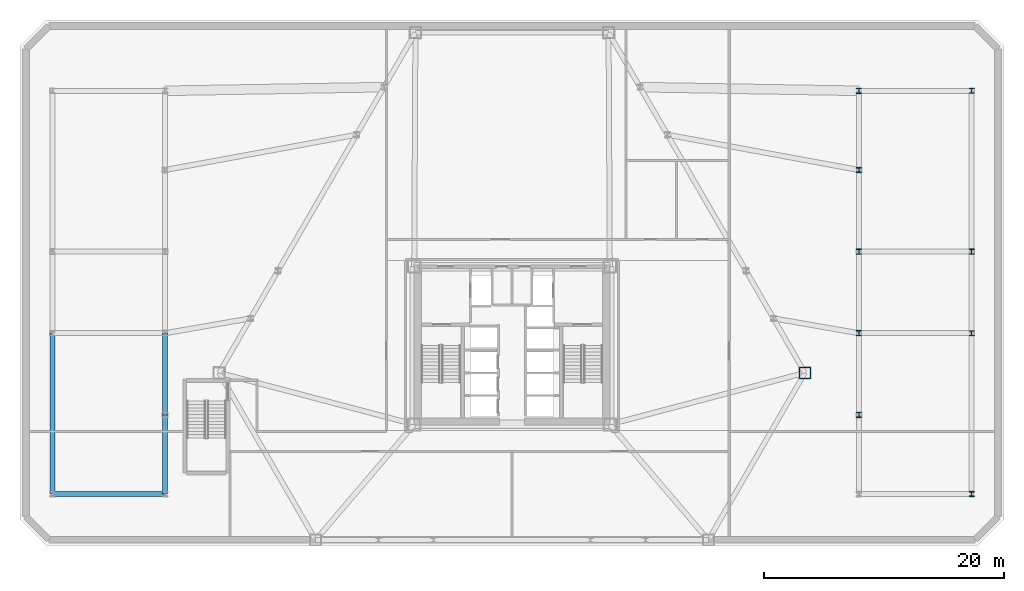
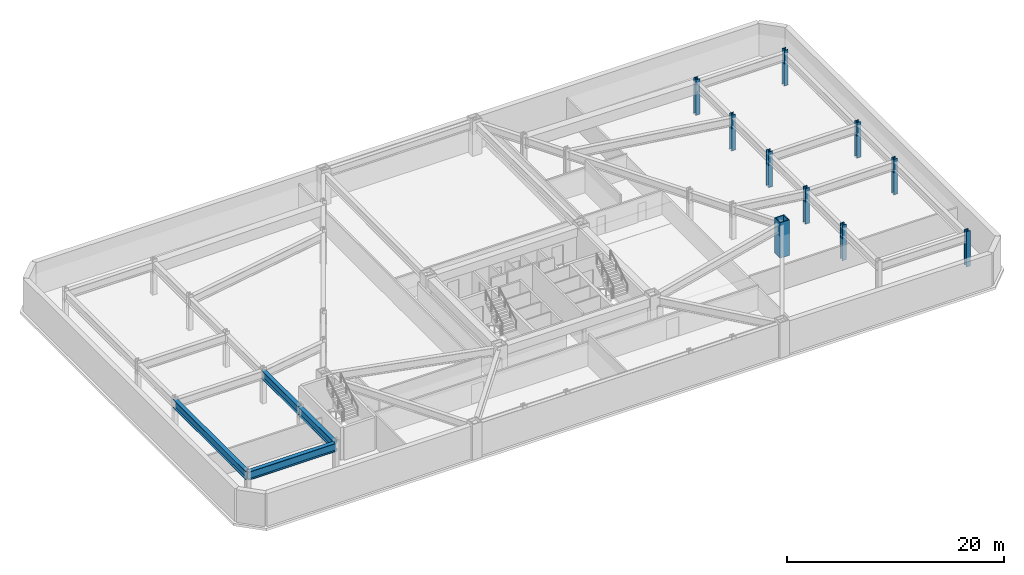
# One storey, part 2 of 10: 10 columns, 4 beams.
"""IFC4 building model written with IfcOpenShell, lengths in metres."""

from ifc_helpers import new_model, si_unit, direction, frame, origin, origin_2d, place, context, subcontext, project, spatial, hollow_rectangle, i_section, extrude, material, material_profile, profile_set, type_object, element, save


model = new_model("IFC4")

# Units and contexts
model_context = context("Model", 3, precision=1e-05, world=origin(), true_north=direction((0.0, 1.0)))
body_context = subcontext(model_context, "Body", "Model", "MODEL_VIEW")
ifc_project = project(units=[si_unit("LENGTHUNIT", "METRE"), si_unit("AREAUNIT", "SQUARE_METRE"), si_unit("VOLUMEUNIT", "CUBIC_METRE"), si_unit("PLANEANGLEUNIT", "RADIAN"), si_unit("MASSUNIT", "GRAM", prefix="KILO")], contexts=[model_context])

# Site, building, storey
site_placement = place(None, origin())
site = spatial("IfcSite", under=ifc_project, at=site_placement, CompositionType="ELEMENT")
building_placement = place(site_placement, origin())
building = spatial("IfcBuilding", under=site, at=building_placement, Name="Oramaril Tower", CompositionType="ELEMENT")
storey_placement = place(building_placement, frame((0.0, 0.0, -4.0)))
storey = spatial("IfcBuildingStorey", under=building, at=storey_placement, Name="B01", CompositionType="ELEMENT", Elevation=-4.0)

# Columns
ifc_material_1 = material(Name="Steel ASTM A572 Gr 50", Category="steel")
ifc_material_profile_1 = material_profile(ifc_material_1, hollow_rectangle(XDim=1.0, YDim=1.0, WallThickness=0.0849609375, at=origin_2d()), Name="BOX1000X1000X85")
ifc_profile_set_1 = profile_set([ifc_material_profile_1], Name="Steel ASTM A572 Gr 50")
column_type_1 = type_object("IfcColumnType", Name="CT-TC1", PredefinedType="COLUMN", material=ifc_profile_set_1)
column_placement = place(storey_placement, frame((61.910400390625, 15.300048828125, 0.00439453125), z_axis=(0.0, 0.0, 1.0), x_axis=(1.0, 0.0, 0.0)))
element("IfcColumn", 1, at=column_placement, inside=storey, type_object=column_type_1, Name="B01 Tube Column TC-04", PredefinedType="COLUMN", context=body_context, shape_type="SweptSolid", body=[
    extrude(hollow_rectangle(XDim=1.0, YDim=1.0, WallThickness=0.0849609375, at=origin_2d()), origin(), (0.0, 0.0, 1.0), 3.9912109375),
])
ifc_material_2 = material(Name="Steel ASTM A572 Gr 50", Category="steel")
ifc_material_profile_2 = material_profile(ifc_material_2, i_section(OverallWidth=0.422119140625, OverallDepth=0.465087890625, WebThickness=0.044921875, FlangeThickness=0.072021484375, at=origin_2d()), Name="W14X398")
ifc_profile_set_2 = profile_set([ifc_material_profile_2], Name="Steel ASTM A572 Gr 50")
column_type_2 = type_object("IfcColumnType", Name="CT-TF1", PredefinedType="COLUMN", material=ifc_profile_set_2)
for number, where, z_axis, x_axis, name in (
    (2, (66.39990234375, 11.800048828125, 0.0), (0.0, 0.0, 1.0), (1.0, 0.0, 0.0), "B01 Podium Column PCOL-08"),
    (3, (66.39990234375, 18.60009765625, 0.0), (0.0, 0.0, 1.0), (1.0, 0.0, 0.0), "B01 Podium Column PCOL-09"),
    (4, (66.39990234375, 25.39990234375, 0.0), (0.0, 0.0, 1.0), (1.0, 0.0, 0.0), "B01 Podium Column PCOL-10"),
    (5, (66.39990234375, 32.199951171875, 0.0), (0.0, 0.0, 1.0), (1.0, 0.0, 0.0), "B01 Podium Column PCOL-11"),
    (6, (66.39990234375, 38.800048828125, 0.0), (0.0, 0.0, 1.0), (1.0, 0.0, 0.0), "B01 Podium Column PCOL-12"),
):
    element("IfcColumn", number, at=place(storey_placement, frame(where, z_axis=z_axis, x_axis=x_axis)), inside=storey, type_object=column_type_2, Name=name, PredefinedType="COLUMN", context=body_context, shape_type="SweptSolid", body=[
        extrude(i_section(OverallWidth=0.422119140625, OverallDepth=0.465087890625, WebThickness=0.044921875, FlangeThickness=0.072021484375, at=origin_2d()), origin(), (0.0, 0.0, 1.0), 4.0),
    ])
ifc_material_3 = material(Name="Steel ASTM A572 Gr 50", Category="steel")
ifc_material_profile_3 = material_profile(ifc_material_3, i_section(OverallWidth=0.410888671875, OverallDepth=0.43408203125, WebThickness=0.035888671875, FlangeThickness=0.057373046875, at=origin_2d()), Name="W14X311")
ifc_profile_set_3 = profile_set([ifc_material_profile_3], Name="Steel ASTM A572 Gr 50")
column_type_3 = type_object("IfcColumnType", Name="CT-TF2", PredefinedType="COLUMN", material=ifc_profile_set_3)
for number, where, z_axis, x_axis, name in (
    (7, (75.800048828125, 5.199951171875, 0.0), (0.0, 0.0, 1.0), (1.0, 0.0, 0.0), "B01 Lower Podium Wing Column WCOL-05"),
    (8, (75.800048828125, 18.60009765625, 0.0), (0.0, 0.0, 1.0), (1.0, 0.0, 0.0), "B01 Lower Podium Wing Column WCOL-06"),
    (9, (75.800048828125, 25.39990234375, 0.0), (0.0, 0.0, 1.0), (1.0, 0.0, 0.0), "B01 Lower Podium Wing Column WCOL-07"),
    (10, (75.800048828125, 38.800048828125, 0.0), (0.0, 0.0, 1.0), (1.0, 0.0, 0.0), "B01 Lower Podium Wing Column WCOL-08"),
):
    element("IfcColumn", number, at=place(storey_placement, frame(where, z_axis=z_axis, x_axis=x_axis)), inside=storey, type_object=column_type_3, Name=name, PredefinedType="COLUMN", context=body_context, shape_type="SweptSolid", body=[
        extrude(i_section(OverallWidth=0.410888671875, OverallDepth=0.43408203125, WebThickness=0.035888671875, FlangeThickness=0.057373046875, at=origin_2d()), origin(), (0.0, 0.0, 1.0), 4.0),
    ])

# Beams
ifc_material_4 = material(Name="Steel ASTM A572 Gr 50", Category="steel")
ifc_material_profile_4 = material_profile(ifc_material_4, i_section(OverallWidth=0.424072265625, OverallDepth=0.947021484375, WebThickness=0.02392578125, FlangeThickness=0.042724609375, at=origin_2d()), Name="W36X302")
ifc_profile_set_4 = profile_set([ifc_material_profile_4], Name="Steel ASTM A572 Gr 50")
beam_type_1 = type_object("IfcBeamType", Name="BT-PG1", PredefinedType="BEAM", material=ifc_profile_set_4)
beam_1_placement = place(storey_placement, frame((-0.800048828125, 5.199951171875, 3.20654296875), z_axis=(1.0, 0.0, 0.0), x_axis=(0.0, 1.0, 0.0)))
element("IfcBeam", 11, at=beam_1_placement, inside=storey, type_object=beam_type_1, Name="B01 Wing Transverse Girder 01", PredefinedType="BEAM", context=body_context, shape_type="SweptSolid", body=[
    extrude(i_section(OverallWidth=0.424072265625, OverallDepth=0.947021484375, WebThickness=0.02392578125, FlangeThickness=0.042724609375, at=origin_2d()), origin(), (0.0, 0.0, 1.0), 9.400146484375),
])
ifc_material_5 = material(Name="Steel ASTM A572 Gr 50", Category="steel")
ifc_material_profile_5 = material_profile(ifc_material_5, i_section(OverallWidth=0.4189453125, OverallDepth=0.927001953125, WebThickness=0.019287109375, FlangeThickness=0.031982421875, at=origin_2d()), Name="W36X231")
ifc_profile_set_5 = profile_set([ifc_material_profile_5], Name="Steel ASTM A572 Gr 50")
beam_type_2 = type_object("IfcBeamType", Name="BT-PG2", PredefinedType="BEAM", material=ifc_profile_set_5)
beam_2_placement = place(storey_placement, frame((8.60009765625, 5.199951171875, 3.216552734375), z_axis=(0.0, 1.0, 0.0), x_axis=(-1.0, 0.0, 0.0)))
element("IfcBeam", 12, at=beam_2_placement, inside=storey, type_object=beam_type_2, Name="B01 Podium Perimeter Girder 01", PredefinedType="BEAM", context=body_context, shape_type="SweptSolid", body=[
    extrude(i_section(OverallWidth=0.4189453125, OverallDepth=0.927001953125, WebThickness=0.019287109375, FlangeThickness=0.031982421875, at=origin_2d()), origin(), (0.0, 0.0, 1.0), 6.60009765625),
])
beam_3_placement = place(storey_placement, frame((8.60009765625, 11.800048828125, 3.216552734375), z_axis=(0.0, 1.0, 0.0), x_axis=(-1.0, 0.0, 0.0)))
element("IfcBeam", 13, at=beam_3_placement, inside=storey, type_object=beam_type_2, Name="B01 Podium Perimeter Girder 02", PredefinedType="BEAM", context=body_context, shape_type="SweptSolid", body=[
    extrude(i_section(OverallWidth=0.4189453125, OverallDepth=0.927001953125, WebThickness=0.019287109375, FlangeThickness=0.031982421875, at=origin_2d()), origin(), (0.0, 0.0, 1.0), 6.800048828125),
])
beam_4_placement = place(storey_placement, frame((-0.800048828125, 5.199951171875, 3.216552734375), z_axis=(0.0, 1.0, 0.0), x_axis=(-1.0, 0.0, 0.0)))
element("IfcBeam", 14, at=beam_4_placement, inside=storey, type_object=beam_type_2, Name="B01 Wing Perimeter Girder 01", PredefinedType="BEAM", context=body_context, shape_type="SweptSolid", body=[
    extrude(i_section(OverallWidth=0.4189453125, OverallDepth=0.927001953125, WebThickness=0.019287109375, FlangeThickness=0.031982421875, at=origin_2d()), origin(), (0.0, 0.0, 1.0), 13.400146484375),
])

save(model, "model.ifc")
